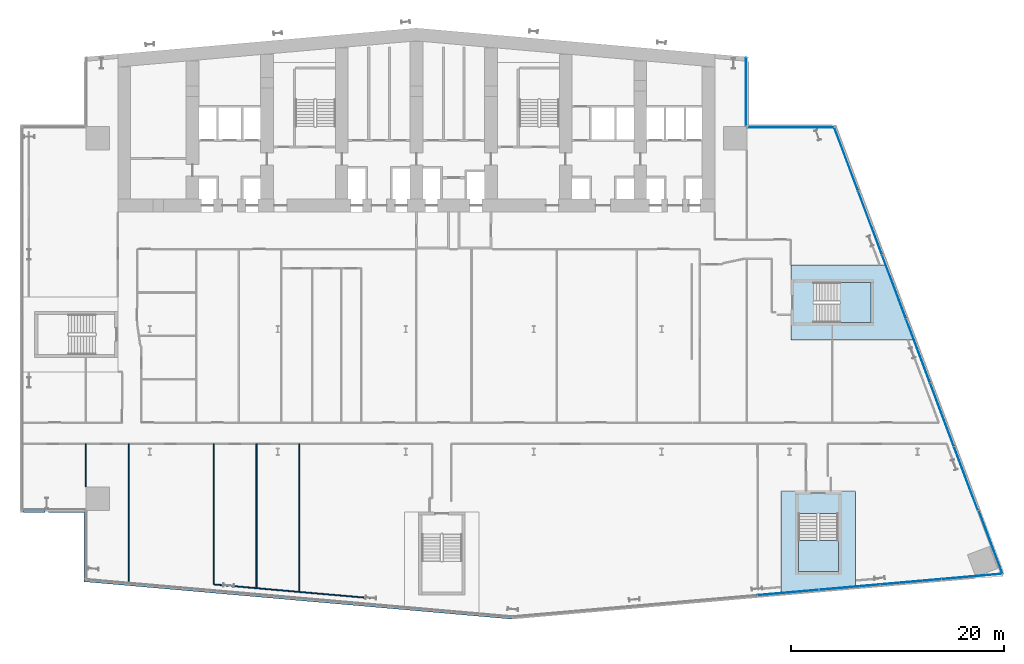
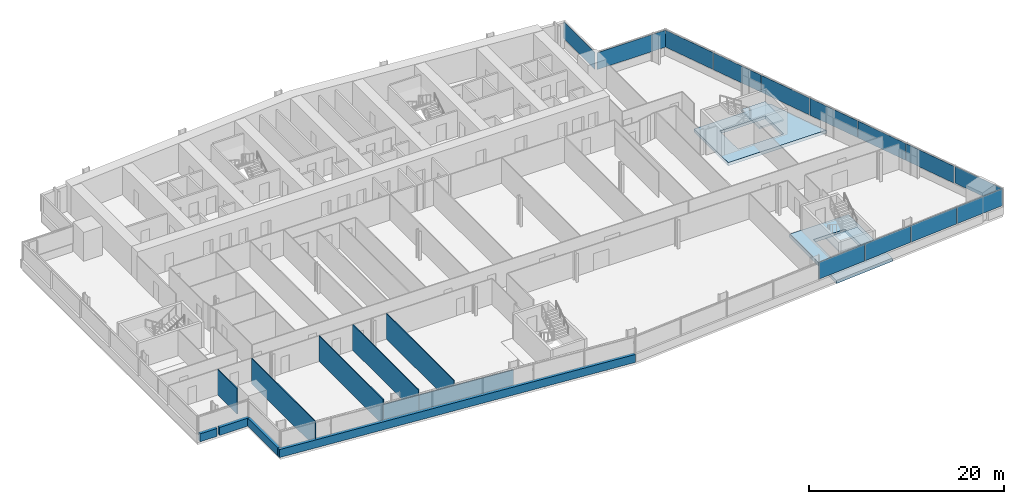
# One storey, part 11 of 24: 13 plates, 11 walls, 4 slabs, 6 elements without a shape of their own.
"""IFC4 building model written with IfcOpenShell, lengths in metres."""

from ifc_helpers import new_model, si_unit, direction, frame, frame_2d, origin, origin_2d, place, context, subcontext, project, spatial, polyline, rectangle, outline, extrude, material, layer, layer_set, type_object, element, aggregate, save


model = new_model("IFC4")

# Units and contexts
model_context = context("Model", 3, precision=1e-05, world=origin(), true_north=direction((0.0, 1.0)))
body_context = subcontext(model_context, "Body", "Model", "MODEL_VIEW")
ifc_project = project(units=[si_unit("LENGTHUNIT", "METRE"), si_unit("AREAUNIT", "SQUARE_METRE"), si_unit("VOLUMEUNIT", "CUBIC_METRE"), si_unit("PLANEANGLEUNIT", "RADIAN"), si_unit("MASSUNIT", "GRAM", prefix="KILO")], contexts=[model_context])

# Site, building, storey
site_placement = place(None, origin())
site = spatial("IfcSite", under=ifc_project, at=site_placement, CompositionType="ELEMENT")
building_placement = place(site_placement, origin())
building = spatial("IfcBuilding", under=site, at=building_placement, Name="Wharfspan Tower", CompositionType="ELEMENT")
storey_placement = place(building_placement, frame((0.0, 0.0, 41.5)))
storey = spatial("IfcBuildingStorey", under=building, at=storey_placement, Name="L06", CompositionType="ELEMENT", Elevation=41.5)

# Curtain wall, plates
ifc_material_1 = material(Name="Aluminium 6063-T6", Category="aluminium")
curtain_wall_type_1 = type_object("IfcCurtainWallType", Name="CURTAIN WALL FACETED FRONT", PredefinedType="NOTDEFINED", material=ifc_material_1)
curtain_wall_1_placement = place(storey_placement, origin())
curtain_wall_1 = element("IfcCurtainWall", 1, at=curtain_wall_1_placement, inside=storey, type_object=curtain_wall_type_1, Name="Curtain wall S2", PredefinedType="NOTDEFINED")
ifc_material_2 = material(Name="Glass clear low-iron double glazing", Category="glass")
ifc_layer_1 = layer(ifc_material_2, 0.040039)
ifc_layer_set_1 = layer_set([ifc_layer_1], Name="Glass clear low-iron double glazing")
plate_type_1 = type_object("IfcPlateType", Name="GLASS PANEL FACETED FRONT 40", PredefinedType="CURTAIN_PANEL", material=ifc_layer_set_1)
plate_1_placement = place(storey_placement, frame((71.869873, -1.700928, 1.0), z_axis=(0.0, 0.0, 1.0), x_axis=(0.996197, 0.087156, 0.0)))
plate_1 = element("IfcPlate", 2, at=plate_1_placement, type_object=plate_type_1, Name="Curtain wall S2 panel 5", PredefinedType="CURTAIN_PANEL", context=body_context, shape_type="SweptSolid", body=[
    extrude(rectangle(XDim=5.711914, YDim=0.040039, at=origin_2d()), origin(), (0.0, 0.0, 1.0), 2.120117),
])
plate_2_placement = place(storey_placement, frame((77.619873, -1.197998, 1.0), z_axis=(0.0, 0.0, 1.0), x_axis=(0.996197, 0.087156, 0.0)))
plate_2 = element("IfcPlate", 3, at=plate_2_placement, type_object=plate_type_1, Name="Curtain wall S2 panel 6", PredefinedType="CURTAIN_PANEL", context=body_context, shape_type="SweptSolid", body=[
    extrude(rectangle(XDim=5.711914, YDim=0.040039, at=origin_2d()), origin(), (0.0, 0.0, 1.0), 2.120117),
])
plate_3_placement = place(storey_placement, frame((83.369873, -0.694824, 1.0), z_axis=(0.0, 0.0, 1.0), x_axis=(0.996197, 0.087156, 0.0)))
plate_3 = element("IfcPlate", 4, at=plate_3_placement, type_object=plate_type_1, Name="Curtain wall S2 panel 7", PredefinedType="CURTAIN_PANEL", context=body_context, shape_type="SweptSolid", body=[
    extrude(rectangle(XDim=5.711914, YDim=0.040039, at=origin_2d()), origin(), (0.0, 0.0, 1.0), 2.120117),
])
plate_4_placement = place(storey_placement, frame((89.104736, -0.193115, 1.0), z_axis=(0.0, 0.0, 1.0), x_axis=(0.996197, 0.087156, 0.0)))
plate_4 = element("IfcPlate", 5, at=plate_4_placement, type_object=plate_type_1, Name="Curtain wall S2 panel 8", PredefinedType="CURTAIN_PANEL", context=body_context, shape_type="SweptSolid", body=[
    extrude(rectangle(XDim=5.681885, YDim=0.040039, at=origin_2d()), origin(), (0.0, 0.0, 1.0), 2.120117),
])
aggregate(curtain_wall_1, [plate_1, plate_2, plate_3, plate_4])

curtain_wall_type_2 = type_object("IfcCurtainWallType", Name="CURTAIN WALL PROW AND END", PredefinedType="NOTDEFINED", material=ifc_material_1)
curtain_wall_2_placement = place(storey_placement, origin())
curtain_wall_2 = element("IfcCurtainWall", 6, at=curtain_wall_2_placement, inside=storey, type_object=curtain_wall_type_2, Name="Curtain wall E", PredefinedType="NOTDEFINED")
ifc_layer_2 = layer(ifc_material_2, 0.040039)
ifc_layer_set_2 = layer_set([ifc_layer_2], Name="Glass clear low-iron double glazing")
plate_type_2 = type_object("IfcPlateType", Name="GLASS PANEL PROW AND END 40", PredefinedType="CURTAIN_PANEL", material=ifc_layer_set_2)
plate_5_placement = place(storey_placement, frame((90.869629, 3.01416, 1.0), z_axis=(0.0, 0.0, 1.0), x_axis=(-0.351123, 0.936328, 0.0)))
plate_5 = element("IfcPlate", 7, at=plate_5_placement, type_object=plate_type_2, Name="Curtain wall E panel 1", PredefinedType="CURTAIN_PANEL", context=body_context, shape_type="SweptSolid", body=[
    extrude(rectangle(XDim=6.318115, YDim=0.040039, at=origin_2d()), origin(), (0.0, 0.0, 1.0), 2.120117),
])
plate_6_placement = place(storey_placement, frame((88.550049, 8.971924, 1.0), z_axis=(0.0, 0.0, 1.0), x_axis=(-0.351123, 0.936328, 0.0)))
plate_6 = element("IfcPlate", 8, at=plate_6_placement, type_object=plate_type_2, Name="Curtain wall E panel 2", PredefinedType="CURTAIN_PANEL", context=body_context, shape_type="SweptSolid", body=[
    extrude(rectangle(XDim=6.3479, YDim=0.040039, at=origin_2d()), origin(), (0.0, 0.0, 1.0), 2.120117),
])
plate_7_placement = place(storey_placement, frame((86.300049, 14.971924, 1.0), z_axis=(0.0, 0.0, 1.0), x_axis=(-0.351123, 0.936328, 0.0)))
plate_7 = element("IfcPlate", 9, at=plate_7_placement, type_object=plate_type_2, Name="Curtain wall E panel 3", PredefinedType="CURTAIN_PANEL", context=body_context, shape_type="SweptSolid", body=[
    extrude(rectangle(XDim=6.3479, YDim=0.040039, at=origin_2d()), origin(), (0.0, 0.0, 1.0), 2.120117),
])
plate_8_placement = place(storey_placement, frame((84.050049, 20.971924, 1.0), z_axis=(0.0, 0.0, 1.0), x_axis=(-0.351123, 0.936328, 0.0)))
plate_8 = element("IfcPlate", 10, at=plate_8_placement, type_object=plate_type_2, Name="Curtain wall E panel 4", PredefinedType="CURTAIN_PANEL", context=body_context, shape_type="SweptSolid", body=[
    extrude(rectangle(XDim=6.3479, YDim=0.040039, at=origin_2d()), origin(), (0.0, 0.0, 1.0), 2.120117),
])
plate_9_placement = place(storey_placement, frame((81.800049, 26.971924, 1.0), z_axis=(0.0, 0.0, 1.0), x_axis=(-0.351123, 0.936328, 0.0)))
plate_9 = element("IfcPlate", 11, at=plate_9_placement, type_object=plate_type_2, Name="Curtain wall E panel 5", PredefinedType="CURTAIN_PANEL", context=body_context, shape_type="SweptSolid", body=[
    extrude(rectangle(XDim=6.3479, YDim=0.040039, at=origin_2d()), origin(), (0.0, 0.0, 1.0), 2.120117),
])
plate_10_placement = place(storey_placement, frame((79.550049, 32.971924, 1.0), z_axis=(0.0, 0.0, 1.0), x_axis=(-0.351123, 0.936328, 0.0)))
plate_10 = element("IfcPlate", 12, at=plate_10_placement, type_object=plate_type_2, Name="Curtain wall E panel 6", PredefinedType="CURTAIN_PANEL", context=body_context, shape_type="SweptSolid", body=[
    extrude(rectangle(XDim=6.3479, YDim=0.040039, at=origin_2d()), origin(), (0.0, 0.0, 1.0), 2.120117),
])
plate_11_placement = place(storey_placement, frame((77.30542, 38.957764, 1.0), z_axis=(0.0, 0.0, 1.0), x_axis=(-0.351123, 0.936328, 0.0)))
plate_11 = element("IfcPlate", 13, at=plate_11_placement, type_object=plate_type_2, Name="Curtain wall E panel 7", PredefinedType="CURTAIN_PANEL", context=body_context, shape_type="SweptSolid", body=[
    extrude(rectangle(XDim=6.318115, YDim=0.040039, at=origin_2d()), origin(), (0.0, 0.0, 1.0), 2.120117),
])
aggregate(curtain_wall_2, [plate_5, plate_6, plate_7, plate_8, plate_9, plate_10, plate_11])

# Curtain wall, plate
curtain_wall_3_placement = place(storey_placement, origin())
curtain_wall_3 = element("IfcCurtainWall", 14, at=curtain_wall_3_placement, inside=storey, type_object=curtain_wall_type_2, Name="Curtain wall NRE-H", PredefinedType="NOTDEFINED")
plate_12_placement = place(storey_placement, frame((72.125, 41.919922, 1.0), z_axis=(0.0, 0.0, 1.0), x_axis=(-1.0, 0.0, 0.0)))
plate_12 = element("IfcPlate", 15, at=plate_12_placement, type_object=plate_type_2, Name="Curtain wall NRE-H panel 1", PredefinedType="CURTAIN_PANEL", context=body_context, shape_type="SweptSolid", body=[
    extrude(rectangle(XDim=8.129883, YDim=0.040039, at=origin_2d()), origin(), (0.0, 0.0, 1.0), 2.120117),
])
aggregate(curtain_wall_3, [plate_12])

curtain_wall_4_placement = place(storey_placement, origin())
curtain_wall_4 = element("IfcCurtainWall", 16, at=curtain_wall_4_placement, inside=storey, type_object=curtain_wall_type_2, Name="Curtain wall NRE-V", PredefinedType="NOTDEFINED")
plate_13_placement = place(storey_placement, frame((67.919922, 45.262451, 1.0), z_axis=(0.0, 0.0, 1.0), x_axis=(0.0, 1.0, 0.0)))
plate_13 = element("IfcPlate", 17, at=plate_13_placement, type_object=plate_type_2, Name="Curtain wall NRE-V panel 1", PredefinedType="CURTAIN_PANEL", context=body_context, shape_type="SweptSolid", body=[
    extrude(rectangle(XDim=6.405029, YDim=0.040039, at=origin_2d()), origin(), (0.0, 0.0, 1.0), 2.120117),
])
aggregate(curtain_wall_4, [plate_13])

# Slabs
ifc_material_3 = material(Name="Concrete C40/50", Category="concrete")
ifc_layer_3 = layer(ifc_material_3, 0.399902)
ifc_layer_set_3 = layer_set([ifc_layer_3], Name="Concrete C40/50")
slab_type_1 = type_object("IfcSlabType", Name="Post-tensioned flat slab 400", PredefinedType="FLOOR", material=ifc_layer_set_3)
slab_1_placement = place(storey_placement, frame((0.0, 0.0, -0.400146)))
element("IfcSlab", 18, at=slab_1_placement, inside=storey, type_object=slab_type_1, Name="Core floor slab L06 part 5", PredefinedType="FLOOR", context=body_context, shape_type="SweptSolid", body=[
    extrude(outline(polyline([(78.192383, 7.791992), (76.867432, 7.791992), (72.517578, 7.791992), (71.192383, 7.791992), (71.192383, -1.820312), (78.192383, -1.208008), (78.192383, 7.791992)]), holes=[polyline([(76.567383, 5.694092), (76.567627, 5.694092), (76.567871, 5.694092), (76.568115, 5.693848), (76.568115, 5.693848), (76.568359, 5.693848), (76.568604, 5.693604), (76.568604, 5.693604), (76.568848, 5.693359), (76.569092, 5.693359), (76.569092, 5.693115), (76.569092, 5.692871), (76.569336, 5.692871), (76.569336, 5.692627), (76.569336, 5.692383), (76.56958, 5.692139), (76.56958, 5.691895), (76.56958, 0.291992), (76.56958, 0.291748), (76.569336, 0.291504), (76.569336, 0.291504), (76.569336, 0.29126), (76.569092, 0.291016), (76.569092, 0.291016), (76.569092, 0.290771), (76.568848, 0.290527), (76.568604, 0.290527), (76.568604, 0.290283), (76.568359, 0.290283), (76.568115, 0.290283), (76.568115, 0.290039), (76.567871, 0.290039), (76.567627, 0.290039), (76.567383, 0.290039), (72.817383, 0.290039), (72.817383, 0.290039), (72.817139, 0.290039), (72.816895, 0.290039), (72.81665, 0.290283), (72.816406, 0.290283), (72.816406, 0.290283), (72.816162, 0.290527), (72.816162, 0.290527), (72.815918, 0.290771), (72.815918, 0.291016), (72.815674, 0.291016), (72.815674, 0.29126), (72.815674, 0.291504), (72.81543, 0.291504), (72.81543, 0.291748), (72.81543, 0.291992), (72.81543, 5.691895), (72.81543, 5.692139), (72.81543, 5.692383), (72.815674, 5.692627), (72.815674, 5.692871), (72.815674, 5.692871), (72.815918, 5.693115), (72.815918, 5.693359), (72.816162, 5.693359), (72.816162, 5.693604), (72.816406, 5.693604), (72.816406, 5.693848), (72.81665, 5.693848), (72.816895, 5.693848), (72.817139, 5.694092), (72.817383, 5.694092), (72.817383, 5.694092), (76.567383, 5.694092)])]), origin(), (0.0, 0.0, 1.0), 0.400146),
])
slab_2_placement = place(storey_placement, frame((0.0, 0.0, -0.400146)))
element("IfcSlab", 19, at=slab_2_placement, inside=storey, type_object=slab_type_1, Name="Core floor slab L06 part 6", PredefinedType="FLOOR", context=body_context, shape_type="SweptSolid", body=[
    extrude(outline(polyline([(81.125, 29.0), (72.125, 29.0), (72.125, 27.675049), (72.125, 23.324951), (72.125, 22.0), (83.75, 22.0), (81.125, 29.0)]), holes=[polyline([(74.2229, 27.375), (74.2229, 27.375244), (74.2229, 27.375488), (74.223145, 27.375488), (74.223145, 27.375732), (74.223145, 27.375977), (74.223389, 27.376221), (74.223389, 27.376221), (74.223633, 27.376465), (74.223633, 27.376465), (74.223877, 27.376709), (74.224121, 27.376709), (74.224121, 27.376709), (74.224365, 27.376953), (74.224609, 27.376953), (74.224854, 27.376953), (74.225098, 27.376953), (79.625, 27.376953), (79.625244, 27.376953), (79.625488, 27.376953), (79.625488, 27.376953), (79.625732, 27.376709), (79.625977, 27.376709), (79.626221, 27.376709), (79.626221, 27.376465), (79.626465, 27.376465), (79.626465, 27.376221), (79.626709, 27.376221), (79.626709, 27.375977), (79.626709, 27.375732), (79.626953, 27.375488), (79.626953, 27.375488), (79.626953, 27.375244), (79.626953, 27.375), (79.626953, 23.625), (79.626953, 23.624756), (79.626953, 23.624512), (79.626953, 23.624512), (79.626709, 23.624268), (79.626709, 23.624023), (79.626709, 23.623779), (79.626465, 23.623779), (79.626465, 23.623535), (79.626221, 23.623535), (79.626221, 23.623291), (79.625977, 23.623291), (79.625732, 23.623291), (79.625488, 23.623047), (79.625488, 23.623047), (79.625244, 23.623047), (79.625, 23.623047), (74.225098, 23.623047), (74.224854, 23.623047), (74.224609, 23.623047), (74.224365, 23.623047), (74.224121, 23.623291), (74.224121, 23.623291), (74.223877, 23.623291), (74.223633, 23.623535), (74.223633, 23.623535), (74.223389, 23.623779), (74.223389, 23.623779), (74.223145, 23.624023), (74.223145, 23.624268), (74.223145, 23.624512), (74.2229, 23.624512), (74.2229, 23.624756), (74.2229, 23.625), (74.2229, 27.375)])]), origin(), (0.0, 0.0, 1.0), 0.400146),
])

# Stair, slab
stair_type = type_object("IfcStairType", Name="Half-turn stair 20 risers 180 mm", PredefinedType="HALF_TURN_STAIR", material=ifc_material_3)
stair_1_placement = place(storey_placement, origin())
stair_1 = element("IfcStair", 20, at=stair_1_placement, inside=storey, type_object=stair_type, Name="L06 stair ST5", PredefinedType="HALF_TURN_STAIR")
ifc_layer_4 = layer(ifc_material_3, 0.199951)
ifc_layer_set_4 = layer_set([ifc_layer_4], Name="Concrete C40/50")
slab_type_2 = type_object("IfcSlabType", Name="Stair landing 200", PredefinedType="LANDING", material=ifc_layer_set_4)
slab_3_placement = place(storey_placement, frame((0.0, 0.0, 1.599854)))
slab_3 = element("IfcSlab", 21, at=slab_3_placement, type_object=slab_type_2, Name="ST5 landing 1", PredefinedType="LANDING", context=body_context, shape_type="SweptSolid", body=[
    extrude(outline(polyline([(72.817383, 3.172119), (72.817383, 0.291992), (76.567383, 0.291992), (76.567383, 3.172119), (72.817383, 3.172119)])), origin(), (0.0, 0.0, 1.0), 0.200195),
])
aggregate(stair_1, [slab_3])

stair_2_placement = place(storey_placement, origin())
stair_2 = element("IfcStair", 22, at=stair_2_placement, inside=storey, type_object=stair_type, Name="L06 stair ST6", PredefinedType="HALF_TURN_STAIR")
slab_4_placement = place(storey_placement, frame((0.0, 0.0, 1.599854)))
slab_4 = element("IfcSlab", 23, at=slab_4_placement, type_object=slab_type_2, Name="ST6 landing 1", PredefinedType="LANDING", context=body_context, shape_type="SweptSolid", body=[
    extrude(outline(polyline([(76.745117, 23.625), (79.625, 23.625), (79.625, 27.375), (76.745117, 27.375), (76.745117, 23.625)])), origin(), (0.0, 0.0, 1.0), 0.200195),
])
aggregate(stair_2, [slab_4])

# Walls
ifc_material_4 = material(Name="Gypsum board on steel studs", Category="steel")
ifc_layer_5 = layer(ifc_material_4, 0.100098)
ifc_layer_set_5 = layer_set([ifc_layer_5], Name="Gypsum board on steel studs")
wall_type_1 = type_object("IfcWallType", Name="Compartment wall 100 EI 60", PredefinedType="PARTITIONING", material=ifc_layer_set_5)
wall_1_placement = place(storey_placement, frame((6.0, 8.209961, 0.0), z_axis=(0.0, 0.0, 1.0), x_axis=(0.0, 1.0, 0.0)))
element("IfcWall", 24, at=wall_1_placement, inside=storey, type_object=wall_type_1, Name="Partition L06.w006", PredefinedType="PARTITIONING", context=body_context, shape_type="SweptSolid", body=[
    extrude(rectangle(XDim=4.025146, YDim=0.100098, at=frame_2d((2.012695, 0.0))), origin(), (0.0, 0.0, 1.0), 3.199951),
])
wall_2_placement = place(storey_placement, frame((10.0, -0.854736, 0.0), z_axis=(0.0, 0.0, 1.0), x_axis=(0.0, 1.0, 0.0)))
element("IfcWall", 25, at=wall_2_placement, inside=storey, type_object=wall_type_1, Name="Partition L06.w011", PredefinedType="PARTITIONING", context=body_context, shape_type="SweptSolid", body=[
    extrude(rectangle(XDim=13.089844, YDim=0.100098, at=frame_2d((6.544922, 0.0))), origin(), (0.0, 0.0, 1.0), 3.199951),
])
wall_3_placement = place(storey_placement, frame((18.0, -0.939941, 0.0), z_axis=(0.0, 0.0, 1.0), x_axis=(0.0, 1.0, 0.0)))
element("IfcWall", 26, at=wall_3_placement, inside=storey, type_object=wall_type_1, Name="Partition L06.w024", PredefinedType="PARTITIONING", context=body_context, shape_type="SweptSolid", body=[
    extrude(rectangle(XDim=13.175049, YDim=0.100098, at=frame_2d((6.587402, 0.0))), origin(), (0.0, 0.0, 1.0), 3.199951),
])
wall_4_placement = place(storey_placement, frame((22.0, -1.294922, 0.0), z_axis=(0.0, 0.0, 1.0), x_axis=(0.0, 1.0, 0.0)))
element("IfcWall", 27, at=wall_4_placement, inside=storey, type_object=wall_type_1, Name="Partition L06.w027", PredefinedType="PARTITIONING", context=body_context, shape_type="SweptSolid", body=[
    extrude(rectangle(XDim=13.530029, YDim=0.100098, at=frame_2d((6.765137, 0.0))), origin(), (0.0, 0.0, 1.0), 3.199951),
])
wall_5_placement = place(storey_placement, frame((26.0, -1.64502, 0.0), z_axis=(0.0, 0.0, 1.0), x_axis=(-0.000352, 1.000004, 0.0)))
element("IfcWall", 28, at=wall_5_placement, inside=storey, type_object=wall_type_1, Name="Partition L06.w030", PredefinedType="PARTITIONING", context=body_context, shape_type="SweptSolid", body=[
    extrude(rectangle(XDim=13.880127, YDim=0.100098, at=frame_2d((6.939941, 0.0))), origin(), (0.0, 0.0, 1.0), 3.199951),
])
ifc_layer_6 = layer(ifc_material_4, 0.100098)
ifc_layer_set_6 = layer_set([ifc_layer_6], Name="Gypsum board on steel studs")
wall_type_2 = type_object("IfcWallType", Name="Partition 100", PredefinedType="PARTITIONING", material=ifc_layer_set_6)
wall_6_placement = place(storey_placement, frame((22.0, -1.294922, 0.0), z_axis=(0.0, 0.0, 1.0), x_axis=(-0.99611, 0.088069, 0.0)))
element("IfcWall", 29, at=wall_6_placement, inside=storey, type_object=wall_type_2, Name="Partition L06.w026", PredefinedType="PARTITIONING", context=body_context, shape_type="SweptSolid", body=[
    extrude(rectangle(XDim=4.016846, YDim=0.100098, at=frame_2d((2.008301, 0.0))), origin(), (0.0, 0.0, 1.0), 2.580078),
])
wall_7_placement = place(storey_placement, frame((32.665039, -2.225098, 0.0), z_axis=(0.0, 0.0, 1.0), x_axis=(-0.99623, 0.086702, 0.0)))
element("IfcWall", 30, at=wall_7_placement, inside=storey, type_object=wall_type_2, Name="Partition L06.w034", PredefinedType="PARTITIONING", context=body_context, shape_type="SweptSolid", body=[
    extrude(rectangle(XDim=10.705811, YDim=0.100098, at=frame_2d((5.353027, 0.0))), origin(), (0.0, 0.0, 1.0), 2.580078),
])
ifc_layer_7 = layer(ifc_material_3, 0.350098)
ifc_layer_set_7 = layer_set([ifc_layer_7], Name="Concrete C40/50")
wall_type_3 = type_object("IfcWallType", Name="SPANDREL EXPOSED CONCRETE 350", PredefinedType="SOLIDWALL", material=ifc_layer_set_7)
wall_8_placement = place(storey_placement, frame((5.835205, -0.515625, 0.0), z_axis=(0.0, 0.0, 1.0), x_axis=(0.996195, -0.087152, 0.0)))
element("IfcWall", 31, at=wall_8_placement, inside=storey, type_object=wall_type_3, Name="Spandrel upstand L06 S1", PredefinedType="SOLIDWALL", context=body_context, shape_type="SweptSolid", body=[
    extrude(rectangle(XDim=40.333496, YDim=0.350098, at=frame_2d((20.166748, 0.0))), origin(), (0.0, 0.0, 1.0), 1.0),
])
wall_9_placement = place(storey_placement, frame((0.169922, 5.995117, 0.0), z_axis=(0.0, 0.0, 1.0), x_axis=(1.0, 0.0, 0.0)))
element("IfcWall", 32, at=wall_9_placement, inside=storey, type_object=wall_type_3, Name="Spandrel upstand L06 NFW-H", PredefinedType="SOLIDWALL", context=body_context, shape_type="SweptSolid", body=[
    extrude(rectangle(XDim=2.010742, YDim=0.350098, at=frame_2d((1.005371, 0.0))), origin(), (0.0, 0.0, 1.0), 1.0),
])
wall_10_placement = place(storey_placement, frame((2.482666, 5.995117, 0.0), z_axis=(0.0, 0.0, 1.0), x_axis=(1.0, 0.0, 0.0)))
element("IfcWall", 33, at=wall_10_placement, inside=storey, type_object=wall_type_3, Name="Spandrel upstand L06 NFW-H 2", PredefinedType="SOLIDWALL", context=body_context, shape_type="SweptSolid", body=[
    extrude(rectangle(XDim=3.517334, YDim=0.350098, at=frame_2d((1.758789, 0.0))), origin(), (0.0, 0.0, 1.0), 1.0),
])
wall_11_placement = place(storey_placement, frame((5.995117, 5.820068, 0.0), z_axis=(0.0, 0.0, 1.0), x_axis=(0.0, -1.0, 0.0)))
element("IfcWall", 34, at=wall_11_placement, inside=storey, type_object=wall_type_3, Name="Spandrel upstand L06 NFW-V", PredefinedType="SOLIDWALL", context=body_context, shape_type="SweptSolid", body=[
    extrude(rectangle(XDim=6.161377, YDim=0.350098, at=frame_2d((3.080566, 0.0))), origin(), (0.0, 0.0, 1.0), 1.0),
])

save(model, "model.ifc")
